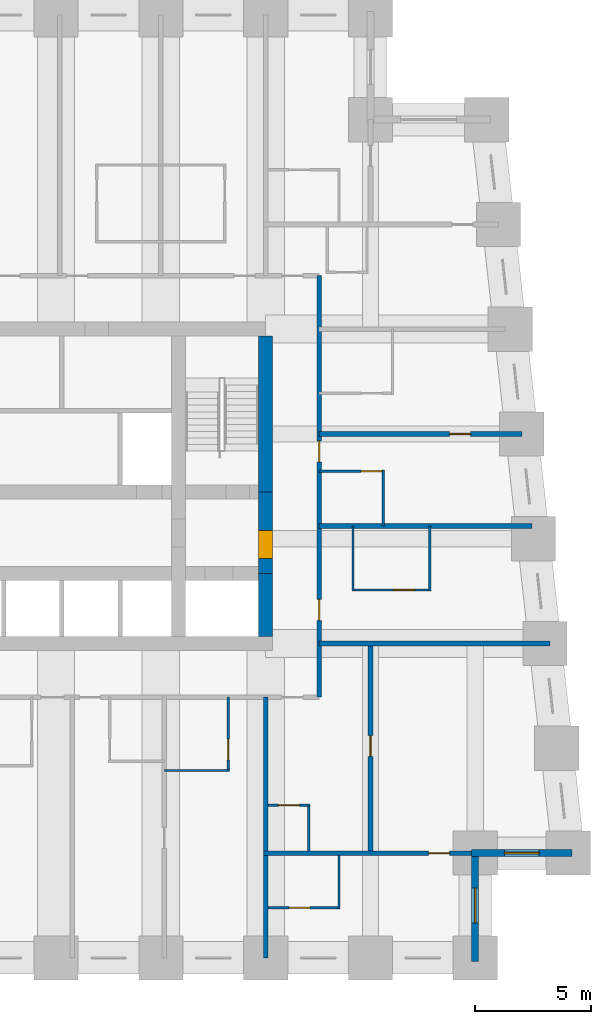
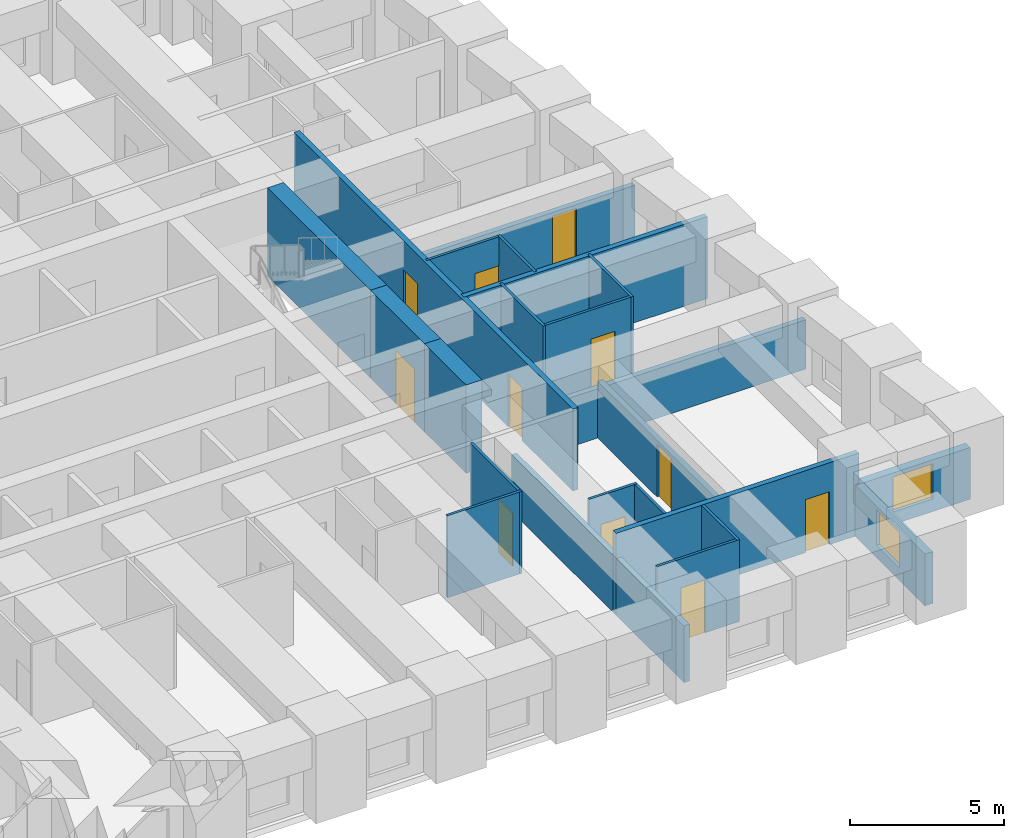
# One storey, part 5 of 8: 23 walls, 11 doors, 2 windows, 13 openings.
"""IFC4 building model written with IfcOpenShell, lengths in metres."""

from ifc_helpers import new_model, si_unit, direction, frame, frame_2d, origin, place, context, subcontext, project, spatial, rectangle, extrude, material, layer, layer_set, type_object, element, fill, save


model = new_model("IFC4")

# Units and contexts
model_context = context("Model", 3, precision=1e-05, world=origin(), true_north=direction((0.0, 1.0)))
body_context = subcontext(model_context, "Body", "Model", "MODEL_VIEW")
ifc_project = project(units=[si_unit("LENGTHUNIT", "METRE"), si_unit("AREAUNIT", "SQUARE_METRE"), si_unit("VOLUMEUNIT", "CUBIC_METRE"), si_unit("PLANEANGLEUNIT", "RADIAN"), si_unit("MASSUNIT", "GRAM", prefix="KILO")], contexts=[model_context])

# Site, building, storey
site_placement = place(None, origin())
site = spatial("IfcSite", under=ifc_project, at=site_placement, CompositionType="ELEMENT")
building_placement = place(site_placement, origin())
building = spatial("IfcBuilding", under=site, at=building_placement, Name="Kilele Tower Hotel", CompositionType="ELEMENT")
storey_placement = place(building_placement, frame((0.0, 0.0, 75.199951171875)))
storey = spatial("IfcBuildingStorey", under=building, at=storey_placement, Name="L18", CompositionType="ELEMENT", Elevation=75.199951171875)

# Wall
ifc_material_1 = material(Name="Moisture-resistant board")
ifc_layer_1 = layer(ifc_material_1, 0.10009765625)
ifc_layer_set_1 = layer_set([ifc_layer_1], Name="Moisture-resistant board")
wall_type_1 = type_object("IfcWallType", Name="Bathroom partition 100", PredefinedType="PLUMBINGWALL", material=ifc_layer_set_1)
wall_1_placement = place(storey_placement, frame((31.64990234375, 8.050048828125, 0.0), z_axis=(0.0, 0.0, 1.0), x_axis=(1.0, 0.0, 0.0)))
element("IfcWall", 1, at=wall_1_placement, inside=storey, type_object=wall_type_1, Name="Bathroom partition 100 L18", PredefinedType="PLUMBINGWALL", context=body_context, shape_type="SweptSolid", body=[
    extrude(rectangle(XDim=2.800048828125, YDim=0.10009765625, at=frame_2d((1.39990234375, 0.0))), origin(), (0.0, 0.0, 1.0), 3.25),
])

# Wall, opening, door
wall_2_placement = place(storey_placement, frame((34.39990234375, 11.199951171875, 0.0), z_axis=(0.0, 0.0, 1.0), x_axis=(0.0, -1.0, 0.0)))
wall_2 = element("IfcWall", 2, at=wall_2_placement, inside=storey, type_object=wall_type_1, Name="Bathroom partition 100 L18", PredefinedType="PLUMBINGWALL", context=body_context, shape_type="SweptSolid", body=[
    extrude(rectangle(XDim=3.199951171875, YDim=0.10009765625, at=frame_2d((1.60009765625, 0.0))), origin(), (0.0, 0.0, 1.0), 3.25),
])
opening_1_placement = place(wall_2_placement, frame((1.800048828125, 0.0, 0.0)))
opening_1 = element("IfcOpeningElement", 3, at=opening_1_placement, cuts=wall_2, Name="Opening D2A", PredefinedType="OPENING", context=body_context, shape_type="SweptSolid", body=[
    extrude(rectangle(XDim=0.89990234375, YDim=2.10009765625, at=frame_2d((0.449951171875, 1.050048828125))), frame((0.0, 0.06005859375, 0.0), z_axis=(0.0, -1.0, 0.0), x_axis=(1.0, 0.0, 0.0)), (0.0, 0.0, 1.0), 0.1201171875),
])
ifc_material_2 = material(Name="Timber door leaf in hardwood frame", Category="wood")
door_type_1 = type_object("IfcDoorType", Name="Bathroom door 900", OperationType="SINGLE_SWING_LEFT", PredefinedType="DOOR", material=ifc_material_2)
door_1_placement = place(opening_1_placement, origin())
door_1 = element("IfcDoor", 4, at=door_1_placement, inside=storey, type_object=door_type_1, Name="Bathroom door 1805B", OperationType="SINGLE_SWING_RIGHT", OverallHeight=2.10009765625, OverallWidth=0.89990234375, PredefinedType="DOOR", context=body_context, shape_type="SweptSolid", body=[
    extrude(rectangle(XDim=0.89990234375, YDim=2.10009765625, at=frame_2d((0.449951171875, 1.050048828125))), frame((0.0, 0.02490234375, 0.0), z_axis=(0.0, -1.0, 0.0), x_axis=(1.0, 0.0, 0.0)), (0.0, 0.0, 1.0), 0.050048828125),
])
fill(opening_1, door_1)

# Walls
for number, where, z_axis, x_axis, name in (
    (5, (39.75, 15.75, 0.0), (0.0, 0.0, 1.0), (0.0, 1.0, 0.0), "Bathroom partition 100 L18"),
    (6, (43.050048828125, 15.75, 0.0), (0.0, 0.0, 1.0), (0.0, 1.0, 0.0), "Bathroom partition 100 L18"),
):
    element("IfcWall", number, at=place(storey_placement, frame(where, z_axis=z_axis, x_axis=x_axis)), inside=storey, type_object=wall_type_1, Name=name, PredefinedType="PLUMBINGWALL", context=body_context, shape_type="SweptSolid", body=[
        extrude(rectangle(XDim=2.800048828125, YDim=0.10009765625, at=frame_2d((1.39990234375, 0.0))), origin(), (0.0, 0.0, 1.0), 3.25),
    ])

# Wall, opening, door
wall_3_placement = place(storey_placement, frame((39.699951171875, 15.800048828125, 0.0), z_axis=(0.0, 0.0, 1.0), x_axis=(1.0, 0.0, 0.0)))
wall_3 = element("IfcWall", 7, at=wall_3_placement, inside=storey, type_object=wall_type_1, Name="Bathroom partition 100 L18", PredefinedType="PLUMBINGWALL", context=body_context, shape_type="SweptSolid", body=[
    extrude(rectangle(XDim=3.400146484375, YDim=0.10009765625, at=frame_2d((1.7001953125, 0.0))), origin(), (0.0, 0.0, 1.0), 3.25),
])
opening_2_placement = place(wall_3_placement, frame((2.699951171875, 0.0, 0.0), z_axis=(0.0, 0.0, 1.0), x_axis=(-1.0, 0.0, 0.0)))
opening_2 = element("IfcOpeningElement", 8, at=opening_2_placement, cuts=wall_3, Name="Opening D2A", PredefinedType="OPENING", context=body_context, shape_type="SweptSolid", body=[
    extrude(rectangle(XDim=0.89990234375, YDim=2.10009765625, at=frame_2d((0.449951171875, 1.050048828125))), frame((0.0, 0.06005859375, 0.0), z_axis=(0.0, -1.0, 0.0), x_axis=(1.0, 0.0, 0.0)), (0.0, 0.0, 1.0), 0.1201171875),
])
door_2_placement = place(opening_2_placement, origin())
door_2 = element("IfcDoor", 9, at=door_2_placement, inside=storey, type_object=door_type_1, Name="Bathroom door 1806B", OperationType="SINGLE_SWING_LEFT", OverallHeight=2.10009765625, OverallWidth=0.89990234375, PredefinedType="DOOR", context=body_context, shape_type="SweptSolid", body=[
    extrude(rectangle(XDim=0.89990234375, YDim=2.10009765625, at=frame_2d((0.449951171875, 1.050048828125))), frame((0.0, 0.02490234375, 0.0), z_axis=(0.0, -1.0, 0.0), x_axis=(1.0, 0.0, 0.0)), (0.0, 0.0, 1.0), 0.050048828125),
])
fill(opening_2, door_2)

# Wall
wall_4_placement = place(storey_placement, frame((41.050048828125, 18.550048828125, 0.0), z_axis=(0.0, 0.0, 1.0), x_axis=(0.0, 1.0, 0.0)))
element("IfcWall", 10, at=wall_4_placement, inside=storey, type_object=wall_type_1, Name="Bathroom partition 100 L18", PredefinedType="PLUMBINGWALL", context=body_context, shape_type="SweptSolid", body=[
    extrude(rectangle(XDim=2.39990234375, YDim=0.10009765625, at=frame_2d((1.199951171875, 0.0))), origin(), (0.0, 0.0, 1.0), 3.25),
])

# Wall, opening, door
wall_5_placement = place(storey_placement, frame((38.300048828125, 20.89990234375, 0.0), z_axis=(0.0, 0.0, 1.0), x_axis=(1.0, 0.0, 0.0)))
wall_5 = element("IfcWall", 11, at=wall_5_placement, inside=storey, type_object=wall_type_1, Name="Bathroom partition 100 L18", PredefinedType="PLUMBINGWALL", context=body_context, shape_type="SweptSolid", body=[
    extrude(rectangle(XDim=2.800048828125, YDim=0.10009765625, at=frame_2d((1.39990234375, 0.0))), origin(), (0.0, 0.0, 1.0), 3.25),
])
opening_3_placement = place(wall_5_placement, frame((1.800048828125, 0.0, 0.0)))
opening_3 = element("IfcOpeningElement", 12, at=opening_3_placement, cuts=wall_5, Name="Opening D2A", PredefinedType="OPENING", context=body_context, shape_type="SweptSolid", body=[
    extrude(rectangle(XDim=0.89990234375, YDim=2.10009765625, at=frame_2d((0.449951171875, 1.050048828125))), frame((0.0, 0.06005859375, 0.0), z_axis=(0.0, -1.0, 0.0), x_axis=(1.0, 0.0, 0.0)), (0.0, 0.0, 1.0), 0.1201171875),
])
door_3_placement = place(opening_3_placement, origin())
door_3 = element("IfcDoor", 13, at=door_3_placement, inside=storey, type_object=door_type_1, Name="Bathroom door 1807B", OperationType="SINGLE_SWING_RIGHT", OverallHeight=2.10009765625, OverallWidth=0.89990234375, PredefinedType="DOOR", context=body_context, shape_type="SweptSolid", body=[
    extrude(rectangle(XDim=0.89990234375, YDim=2.10009765625, at=frame_2d((0.449951171875, 1.050048828125))), frame((0.0, 0.02490234375, 0.0), z_axis=(0.0, -1.0, 0.0), x_axis=(1.0, 0.0, 0.0)), (0.0, 0.0, 1.0), 0.050048828125),
])
fill(opening_3, door_3)

# Wall
wall_6_placement = place(storey_placement, frame((37.85009765625, 4.60009765625, 0.0), z_axis=(0.0, 0.0, 1.0), x_axis=(0.0, 1.0, 0.0)))
element("IfcWall", 14, at=wall_6_placement, inside=storey, type_object=wall_type_1, Name="Bathroom partition 100 L18", PredefinedType="PLUMBINGWALL", context=body_context, shape_type="SweptSolid", body=[
    extrude(rectangle(XDim=2.0, YDim=0.10009765625, at=frame_2d((1.0, 0.0))), origin(), (0.0, 0.0, 1.0), 3.25),
])

# Wall, opening, door
wall_7_placement = place(storey_placement, frame((36.10009765625, 6.550048828125, 0.0), z_axis=(0.0, 0.0, 1.0), x_axis=(1.0, 0.0, 0.0)))
wall_7 = element("IfcWall", 15, at=wall_7_placement, inside=storey, type_object=wall_type_1, Name="Bathroom partition 100 L18", PredefinedType="PLUMBINGWALL", context=body_context, shape_type="SweptSolid", body=[
    extrude(rectangle(XDim=1.7998046875, YDim=0.10009765625, at=frame_2d((0.89990234375, 0.0))), origin(), (0.0, 0.0, 1.0), 3.25),
])
opening_4_placement = place(wall_7_placement, frame((0.449951171875, 0.0, 0.0)))
opening_4 = element("IfcOpeningElement", 16, at=opening_4_placement, cuts=wall_7, Name="Opening D2A", PredefinedType="OPENING", context=body_context, shape_type="SweptSolid", body=[
    extrude(rectangle(XDim=0.89990234375, YDim=2.10009765625, at=frame_2d((0.449951171875, 1.050048828125))), frame((0.0, 0.06005859375, 0.0), z_axis=(0.0, -1.0, 0.0), x_axis=(1.0, 0.0, 0.0)), (0.0, 0.0, 1.0), 0.1201171875),
])
door_4_placement = place(opening_4_placement, origin())
door_4 = element("IfcDoor", 17, at=door_4_placement, inside=storey, type_object=door_type_1, Name="Bathroom door 1820P", OperationType="SINGLE_SWING_LEFT", OverallHeight=2.10009765625, OverallWidth=0.89990234375, PredefinedType="DOOR", context=body_context, shape_type="SweptSolid", body=[
    extrude(rectangle(XDim=0.89990234375, YDim=2.10009765625, at=frame_2d((0.449951171875, 1.050048828125))), frame((0.0, 0.02490234375, 0.0), z_axis=(0.0, -1.0, 0.0), x_axis=(1.0, 0.0, 0.0)), (0.0, 0.0, 1.0), 0.050048828125),
])
fill(opening_4, door_4)

# Wall
wall_8_placement = place(storey_placement, frame((39.14990234375, 4.39990234375, 0.0), z_axis=(0.0, 0.0, 1.0), x_axis=(0.0, -1.0, 0.0)))
element("IfcWall", 18, at=wall_8_placement, inside=storey, type_object=wall_type_1, Name="Bathroom partition 100 L18", PredefinedType="PLUMBINGWALL", context=body_context, shape_type="SweptSolid", body=[
    extrude(rectangle(XDim=2.2998046875, YDim=0.10009765625, at=frame_2d((1.14990234375, 0.0))), origin(), (0.0, 0.0, 1.0), 3.25),
])

# Wall, opening, door
wall_9_placement = place(storey_placement, frame((36.10009765625, 2.14990234375, 0.0), z_axis=(0.0, 0.0, 1.0), x_axis=(1.0, 0.0, 0.0)))
wall_9 = element("IfcWall", 19, at=wall_9_placement, inside=storey, type_object=wall_type_1, Name="Bathroom partition 100 L18", PredefinedType="PLUMBINGWALL", context=body_context, shape_type="SweptSolid", body=[
    extrude(rectangle(XDim=3.099853515625, YDim=0.10009765625, at=frame_2d((1.5498046875, 0.0))), origin(), (0.0, 0.0, 1.0), 3.25),
])
opening_5_placement = place(wall_9_placement, frame((1.7998046875, 0.0, 0.0), z_axis=(0.0, 0.0, 1.0), x_axis=(-1.0, 0.0, 0.0)))
opening_5 = element("IfcOpeningElement", 20, at=opening_5_placement, cuts=wall_9, Name="Opening D2A", PredefinedType="OPENING", context=body_context, shape_type="SweptSolid", body=[
    extrude(rectangle(XDim=0.89990234375, YDim=2.10009765625, at=frame_2d((0.449951171875, 1.050048828125))), frame((0.0, 0.06005859375, 0.0), z_axis=(0.0, -1.0, 0.0), x_axis=(1.0, 0.0, 0.0)), (0.0, 0.0, 1.0), 0.1201171875),
])
door_5_placement = place(opening_5_placement, origin())
door_5 = element("IfcDoor", 21, at=door_5_placement, inside=storey, type_object=door_type_1, Name="Bathroom door 1822B", OperationType="SINGLE_SWING_RIGHT", OverallHeight=2.10009765625, OverallWidth=0.89990234375, PredefinedType="DOOR", context=body_context, shape_type="SweptSolid", body=[
    extrude(rectangle(XDim=0.89990234375, YDim=2.10009765625, at=frame_2d((0.449951171875, 1.050048828125))), frame((0.0, 0.02490234375, 0.0), z_axis=(0.0, -1.0, 0.0), x_axis=(1.0, 0.0, 0.0)), (0.0, 0.0, 1.0), 0.050048828125),
])
fill(opening_5, door_5)

# Wall
ifc_material_3 = material(Name="Concrete C60/75", Category="concrete")
ifc_layer_2 = layer(ifc_material_3, 0.60009765625)
ifc_layer_set_2 = layer_set([ifc_layer_2], Name="Concrete C60/75")
wall_type_2 = type_object("IfcWallType", Name="Core wall 600 C60/75", PredefinedType="SHEAR", material=ifc_layer_set_2)
wall_10_placement = place(storey_placement, frame((36.0, 13.800048828125, 0.0), z_axis=(0.0, 0.0, 1.0), x_axis=(0.0, 1.0, 0.0)))
element("IfcWall", 22, at=wall_10_placement, inside=storey, type_object=wall_type_2, Name="Core wall E1 L18", PredefinedType="SHEAR", context=body_context, shape_type="SweptSolid", body=[
    extrude(rectangle(XDim=2.699951171875, YDim=0.60009765625, at=frame_2d((1.35009765625, 0.0))), origin(), (0.0, 0.0, 1.0), 3.5),
])

# Wall, opening, door
wall_11_placement = place(storey_placement, frame((36.0, 16.5, 0.0), z_axis=(0.0, 0.0, 1.0), x_axis=(0.0, 1.0, 0.0)))
wall_11 = element("IfcWall", 23, at=wall_11_placement, inside=storey, type_object=wall_type_2, Name="Core wall E2 L18", PredefinedType="SHEAR", context=body_context, shape_type="SweptSolid", body=[
    extrude(rectangle(XDim=3.5, YDim=0.60009765625, at=frame_2d((1.75, 0.0))), origin(), (0.0, 0.0, 1.0), 3.5),
])
opening_6_placement = place(wall_11_placement, frame((0.64990234375, 0.0, 0.0)))
opening_6 = element("IfcOpeningElement", 24, at=opening_6_placement, cuts=wall_11, Name="Opening D4", PredefinedType="OPENING", context=body_context, shape_type="SweptSolid", body=[
    extrude(rectangle(XDim=1.199951171875, YDim=2.10009765625, at=frame_2d((0.60009765625, 1.050048828125))), frame((0.0, 0.31005859375, 0.0), z_axis=(0.0, -1.0, 0.0), x_axis=(1.0, 0.0, 0.0)), (0.0, 0.0, 1.0), 0.6201171875),
])
ifc_material_4 = material(Name="Timber door leaf in hardwood frame", Category="wood")
door_type_2 = type_object("IfcDoorType", Name="Firefighting lobby door 1200", OperationType="SINGLE_SWING_LEFT", PredefinedType="DOOR", material=ifc_material_4)
door_6_placement = place(opening_6_placement, origin())
door_6 = element("IfcDoor", 25, at=door_6_placement, inside=storey, type_object=door_type_2, Name="Lobby door L18", OperationType="SINGLE_SWING_LEFT", OverallHeight=2.10009765625, OverallWidth=1.199951171875, PredefinedType="DOOR", context=body_context, shape_type="SweptSolid", body=[
    extrude(rectangle(XDim=1.199951171875, YDim=2.10009765625, at=frame_2d((0.60009765625, 1.050048828125))), frame((0.0, 0.2998046875, 0.0), z_axis=(0.0, -1.0, 0.0), x_axis=(1.0, 0.0, 0.0)), (0.0, 0.0, 1.0), 0.599609375),
])
fill(opening_6, door_6)

# Wall
wall_12_placement = place(storey_placement, frame((36.0, 20.0, 0.0), z_axis=(0.0, 0.0, 1.0), x_axis=(0.0, 1.0, 0.0)))
element("IfcWall", 26, at=wall_12_placement, inside=storey, type_object=wall_type_2, Name="Core wall E3 L18", PredefinedType="SHEAR", context=body_context, shape_type="SweptSolid", body=[
    extrude(rectangle(XDim=6.699951171875, YDim=0.60009765625, at=frame_2d((3.35009765625, 0.0))), origin(), (0.0, 0.0, 1.0), 3.5),
])

# Wall, openings, doors
ifc_material_5 = material(Name="Blockwork, plastered both sides", Category="masonry")
ifc_layer_3 = layer(ifc_material_5, 0.199951171875)
ifc_layer_set_3 = layer_set([ifc_layer_3], Name="Blockwork, plastered both sides")
wall_type_3 = type_object("IfcWallType", Name="Corridor wall 200", PredefinedType="PARTITIONING", material=ifc_layer_set_3)
wall_13_placement = place(storey_placement, frame((38.300048828125, 11.199951171875, 0.0), z_axis=(0.0, 0.0, 1.0), x_axis=(0.0, 1.0, 0.0)))
wall_13 = element("IfcWall", 27, at=wall_13_placement, inside=storey, type_object=wall_type_3, Name="Corridor wall 200 L18", PredefinedType="PARTITIONING", context=body_context, shape_type="SweptSolid", body=[
    extrude(rectangle(XDim=18.10009765625, YDim=0.199951171875, at=frame_2d((9.050048828125, 0.0))), origin(), (0.0, 0.0, 1.0), 3.25),
])
opening_7_placement = place(wall_13_placement, frame((4.199951171875, 0.0, 0.0), z_axis=(0.0, 0.0, 1.0), x_axis=(-1.0, 0.0, 0.0)))
opening_7 = element("IfcOpeningElement", 28, at=opening_7_placement, cuts=wall_13, Name="Opening D1", PredefinedType="OPENING", context=body_context, shape_type="SweptSolid", body=[
    extrude(rectangle(XDim=0.89990234375, YDim=2.10009765625, at=frame_2d((0.449951171875, 1.050048828125))), frame((0.0, 0.10986328125, 0.0), z_axis=(0.0, -1.0, 0.0), x_axis=(1.0, 0.0, 0.0)), (0.0, 0.0, 1.0), 0.219970703125),
])
opening_8_placement = place(wall_13_placement, frame((11.0, 0.0, 0.0), z_axis=(0.0, 0.0, 1.0), x_axis=(-1.0, 0.0, 0.0)))
opening_8 = element("IfcOpeningElement", 29, at=opening_8_placement, cuts=wall_13, Name="Opening D1", PredefinedType="OPENING", context=body_context, shape_type="SweptSolid", body=[
    extrude(rectangle(XDim=0.89990234375, YDim=2.10009765625, at=frame_2d((0.449951171875, 1.050048828125))), frame((0.0, 0.10986328125, 0.0), z_axis=(0.0, -1.0, 0.0), x_axis=(1.0, 0.0, 0.0)), (0.0, 0.0, 1.0), 0.219970703125),
])
ifc_material_6 = material(Name="Timber door leaf in hardwood frame", Category="wood")
door_type_3 = type_object("IfcDoorType", Name="Guest room entrance door 900", OperationType="SINGLE_SWING_LEFT", PredefinedType="DOOR", material=ifc_material_6)
door_7_placement = place(opening_7_placement, origin())
door_7 = element("IfcDoor", 30, at=door_7_placement, inside=storey, type_object=door_type_3, Name="Room entrance 1806", OperationType="SINGLE_SWING_RIGHT", OverallHeight=2.10009765625, OverallWidth=0.89990234375, PredefinedType="DOOR", context=body_context, shape_type="SweptSolid", body=[
    extrude(rectangle(XDim=0.89990234375, YDim=2.10009765625, at=frame_2d((0.449951171875, 1.050048828125))), frame((0.0, 0.02490234375, 0.0), z_axis=(0.0, -1.0, 0.0), x_axis=(1.0, 0.0, 0.0)), (0.0, 0.0, 1.0), 0.050048828125),
])
fill(opening_7, door_7)
door_8_placement = place(opening_8_placement, origin())
door_8 = element("IfcDoor", 31, at=door_8_placement, inside=storey, type_object=door_type_3, Name="Room entrance 1807", OperationType="SINGLE_SWING_LEFT", OverallHeight=2.10009765625, OverallWidth=0.89990234375, PredefinedType="DOOR", context=body_context, shape_type="SweptSolid", body=[
    extrude(rectangle(XDim=0.89990234375, YDim=2.10009765625, at=frame_2d((0.449951171875, 1.050048828125))), frame((0.0, 0.02490234375, 0.0), z_axis=(0.0, -1.0, 0.0), x_axis=(1.0, 0.0, 0.0)), (0.0, 0.0, 1.0), 0.050048828125),
])
fill(opening_8, door_8)

# Wall, opening, door
ifc_material_7 = material(Name="Blockwork, plastered both sides", Category="masonry")
ifc_layer_4 = layer(ifc_material_7, 0.199951171875)
ifc_layer_set_4 = layer_set([ifc_layer_4], Name="Blockwork, plastered both sides")
wall_type_4 = type_object("IfcWallType", Name="Partition wall 200", PredefinedType="PARTITIONING", material=ifc_layer_set_4)
wall_14_placement = place(storey_placement, frame((40.5, 4.60009765625, 0.0), z_axis=(0.0, 0.0, 1.0), x_axis=(0.0, 1.0, 0.0)))
wall_14 = element("IfcWall", 32, at=wall_14_placement, inside=storey, type_object=wall_type_4, Name="Partition wall 200 L18", PredefinedType="PARTITIONING", context=body_context, shape_type="SweptSolid", body=[
    extrude(rectangle(XDim=8.7998046875, YDim=0.199951171875, at=frame_2d((4.39990234375, 0.0))), origin(), (0.0, 0.0, 1.0), 2.25),
])
opening_9_placement = place(wall_14_placement, frame((4.050048828125, 0.0, 0.0)))
opening_9 = element("IfcOpeningElement", 33, at=opening_9_placement, cuts=wall_14, Name="Opening D3", PredefinedType="OPENING", context=body_context, shape_type="SweptSolid", body=[
    extrude(rectangle(XDim=0.89990234375, YDim=2.10009765625, at=frame_2d((0.449951171875, 1.050048828125))), frame((0.0, 0.10986328125, 0.0), z_axis=(0.0, -1.0, 0.0), x_axis=(1.0, 0.0, 0.0)), (0.0, 0.0, 1.0), 0.219970703125),
])
ifc_material_8 = material(Name="Timber door leaf in hardwood frame", Category="wood")
door_type_4 = type_object("IfcDoorType", Name="Suite internal door 900", OperationType="SINGLE_SWING_LEFT", PredefinedType="DOOR", material=ifc_material_8)
door_9_placement = place(opening_9_placement, origin())
door_9 = element("IfcDoor", 34, at=door_9_placement, inside=storey, type_object=door_type_4, Name="Suite door 1821", OperationType="SINGLE_SWING_RIGHT", OverallHeight=2.10009765625, OverallWidth=0.89990234375, PredefinedType="DOOR", context=body_context, shape_type="SweptSolid", body=[
    extrude(rectangle(XDim=0.89990234375, YDim=2.10009765625, at=frame_2d((0.449951171875, 1.050048828125))), frame((0.0, 0.02490234375, 0.0), z_axis=(0.0, -1.0, 0.0), x_axis=(1.0, 0.0, 0.0)), (0.0, 0.0, 1.0), 0.050048828125),
])
fill(opening_9, door_9)

# Wall
ifc_material_9 = material(Name="Blockwork, plastered both sides", Category="masonry")
ifc_layer_5 = layer(ifc_material_9, 0.199951171875)
ifc_layer_set_5 = layer_set([ifc_layer_5], Name="Blockwork, plastered both sides")
wall_type_5 = type_object("IfcWallType", Name="Party wall 200", PredefinedType="PARTITIONING", material=ifc_layer_set_5)
wall_15_placement = place(storey_placement, frame((38.300048828125, 18.550048828125, 0.0), z_axis=(0.0, 0.0, 1.0), x_axis=(1.0, 0.0, 0.0)))
element("IfcWall", 35, at=wall_15_placement, inside=storey, type_object=wall_type_5, Name="Party wall 200 L18", PredefinedType="PARTITIONING", context=body_context, shape_type="SweptSolid", body=[
    extrude(rectangle(XDim=9.137939453125, YDim=0.199951171875, at=frame_2d((4.56884765625, 0.0))), origin(), (0.0, 0.0, 1.0), 3.25),
])

# Wall, opening, door
wall_16_placement = place(storey_placement, frame((38.300048828125, 22.5, 0.0), z_axis=(0.0, 0.0, 1.0), x_axis=(1.0, 0.0, 0.0)))
wall_16 = element("IfcWall", 36, at=wall_16_placement, inside=storey, type_object=wall_type_5, Name="Party wall 200 L18", PredefinedType="PARTITIONING", context=body_context, shape_type="SweptSolid", body=[
    extrude(rectangle(XDim=8.698974609375, YDim=0.199951171875, at=frame_2d((4.349609375, 0.0))), origin(), (0.0, 0.0, 1.0), 2.25),
])
opening_10_placement = place(wall_16_placement, frame((5.60009765625, 0.0, 0.0)))
opening_10 = element("IfcOpeningElement", 37, at=opening_10_placement, cuts=wall_16, Name="Opening D3", PredefinedType="OPENING", context=body_context, shape_type="SweptSolid", body=[
    extrude(rectangle(XDim=0.89990234375, YDim=2.10009765625, at=frame_2d((0.449951171875, 1.050048828125))), frame((0.0, 0.10986328125, 0.0), z_axis=(0.0, -1.0, 0.0), x_axis=(1.0, 0.0, 0.0)), (0.0, 0.0, 1.0), 0.219970703125),
])
door_10_placement = place(opening_10_placement, origin())
door_10 = element("IfcDoor", 38, at=door_10_placement, inside=storey, type_object=door_type_4, Name="Suite door 1808", OperationType="SINGLE_SWING_RIGHT", OverallHeight=2.10009765625, OverallWidth=0.89990234375, PredefinedType="DOOR", context=body_context, shape_type="SweptSolid", body=[
    extrude(rectangle(XDim=0.89990234375, YDim=2.10009765625, at=frame_2d((0.449951171875, 1.050048828125))), frame((0.0, 0.02490234375, 0.0), z_axis=(0.0, -1.0, 0.0), x_axis=(1.0, 0.0, 0.0)), (0.0, 0.0, 1.0), 0.050048828125),
])
fill(opening_10, door_10)

# Walls
wall_17_placement = place(storey_placement, frame((38.300048828125, 13.5, 0.0), z_axis=(0.0, 0.0, 1.0), x_axis=(1.0, 0.0, 0.0)))
element("IfcWall", 39, at=wall_17_placement, inside=storey, type_object=wall_type_5, Name="Party wall 200 L18", PredefinedType="PARTITIONING", context=body_context, shape_type="SweptSolid", body=[
    extrude(rectangle(XDim=9.921142578125, YDim=0.199951171875, at=frame_2d((4.96044921875, 0.0))), origin(), (0.0, 0.0, 1.0), 1.949951171875),
])
wall_18_placement = place(storey_placement, frame((36.0, 11.199951171875, 0.0), z_axis=(0.0, 0.0, 1.0), x_axis=(0.0, -1.0, 0.0)))
element("IfcWall", 40, at=wall_18_placement, inside=storey, type_object=wall_type_5, Name="Party wall 200 L18", PredefinedType="PARTITIONING", context=body_context, shape_type="SweptSolid", body=[
    extrude(rectangle(XDim=11.199951171875, YDim=0.199951171875, at=frame_2d((5.60009765625, 0.0))), origin(), (0.0, 0.0, 1.0), 2.25),
])

# Wall, opening, door
wall_19_placement = place(storey_placement, frame((35.89990234375, 4.5, 0.0), z_axis=(0.0, 0.0, 1.0), x_axis=(1.0, 0.0, 0.0)))
wall_19 = element("IfcWall", 41, at=wall_19_placement, inside=storey, type_object=wall_type_5, Name="Party wall 200 L18", PredefinedType="PARTITIONING", context=body_context, shape_type="SweptSolid", body=[
    extrude(rectangle(XDim=9.10009765625, YDim=0.199951171875, at=frame_2d((4.550048828125, 0.0))), origin(), (0.0, 0.0, 1.0), 3.25),
])
opening_11_placement = place(wall_19_placement, frame((7.10009765625, 0.0, 0.0)))
opening_11 = element("IfcOpeningElement", 42, at=opening_11_placement, cuts=wall_19, Name="Opening D3", PredefinedType="OPENING", context=body_context, shape_type="SweptSolid", body=[
    extrude(rectangle(XDim=0.89990234375, YDim=2.10009765625, at=frame_2d((0.449951171875, 1.050048828125))), frame((0.0, 0.10986328125, 0.0), z_axis=(0.0, -1.0, 0.0), x_axis=(1.0, 0.0, 0.0)), (0.0, 0.0, 1.0), 0.219970703125),
])
door_11_placement = place(opening_11_placement, origin())
door_11 = element("IfcDoor", 43, at=door_11_placement, inside=storey, type_object=door_type_4, Name="Suite door 1822", OperationType="SINGLE_SWING_RIGHT", OverallHeight=2.10009765625, OverallWidth=0.89990234375, PredefinedType="DOOR", context=body_context, shape_type="SweptSolid", body=[
    extrude(rectangle(XDim=0.89990234375, YDim=2.10009765625, at=frame_2d((0.449951171875, 1.050048828125))), frame((0.0, 0.02490234375, 0.0), z_axis=(0.0, -1.0, 0.0), x_axis=(1.0, 0.0, 0.0)), (0.0, 0.0, 1.0), 0.050048828125),
])
fill(opening_11, door_11)

# Wall, opening, window
ifc_material_10 = material(Name="Concrete C40/50 precast", Category="concrete")
ifc_layer_6 = layer(ifc_material_10, 0.260009765625, Name="Precast backing", Category="LoadBearing")
ifc_material_11 = material(Name="Reconstituted stone finish", Category="masonry")
ifc_layer_7 = layer(ifc_material_11, 0.0400390625, Name="Face mix", Category="Finish")
ifc_layer_set_6 = layer_set([ifc_layer_6, ifc_layer_7], Name="Precast concrete C40/50, reconstituted stone finish")
wall_type_6 = type_object("IfcWallType", Name="Precast stone facade wall 300", PredefinedType="STANDARD", material=ifc_layer_set_6)
wall_20_placement = place(storey_placement, frame((45.0, -0.14990234375, 0.0), z_axis=(0.0, 0.0, 1.0), x_axis=(0.0, 1.0, 0.0)))
wall_20 = element("IfcWall", 44, at=wall_20_placement, inside=storey, type_object=wall_type_6, Name="Facade wall L18 edge 4", PredefinedType="STANDARD", context=body_context, shape_type="SweptSolid", body=[
    extrude(rectangle(XDim=4.7998046875, YDim=0.300048828125, at=frame_2d((2.39990234375, 0.0))), origin(), (0.0, 0.0, 1.0), 2.050048828125),
])
opening_12_placement = place(wall_20_placement, frame((1.64990234375, 0.0, 0.5)))
opening_12 = element("IfcOpeningElement", 45, at=opening_12_placement, cuts=wall_20, Name="Opening W1", PredefinedType="OPENING", context=body_context, shape_type="SweptSolid", body=[
    extrude(rectangle(XDim=1.5, YDim=1.39990234375, at=frame_2d((0.75, 0.699951171875))), frame((0.0, 0.159912109375, 0.0), z_axis=(0.0, -1.0, 0.0), x_axis=(1.0, 0.0, 0.0)), (0.0, 0.0, 1.0), 0.320068359375),
])
ifc_material_12 = material(Name="Aluminium frame, clear double glazing", Category="aluminium")
window_type = type_object("IfcWindowType", Name="Window W1 1500 x 1400", PartitioningType="SINGLE_PANEL", PredefinedType="WINDOW", material=ifc_material_12)
window_1_placement = place(opening_12_placement, origin())
window_1 = element("IfcWindow", 46, at=window_1_placement, inside=storey, type_object=window_type, Name="Window L18", OverallHeight=1.39990234375, OverallWidth=1.5, PartitioningType="SINGLE_PANEL", PredefinedType="WINDOW", context=body_context, shape_type="SweptSolid", body=[
    extrude(rectangle(XDim=1.5, YDim=1.39990234375, at=frame_2d((0.75, 0.699951171875))), frame((0.0, 0.030029296875, 0.0), z_axis=(0.0, -1.0, 0.0), x_axis=(1.0, 0.0, 0.0)), (0.0, 0.0, 1.0), 0.06005859375),
])
fill(opening_12, window_1)

wall_21_placement = place(storey_placement, frame((44.85009765625, 4.5, 0.0), z_axis=(0.0, 0.0, 1.0), x_axis=(1.0, 0.0, 0.0)))
wall_21 = element("IfcWall", 47, at=wall_21_placement, inside=storey, type_object=wall_type_6, Name="Facade wall L18 edge 5", PredefinedType="STANDARD", context=body_context, shape_type="SweptSolid", body=[
    extrude(rectangle(XDim=4.2998046875, YDim=0.300048828125, at=frame_2d((2.14990234375, 0.0))), origin(), (0.0, 0.0, 1.0), 2.050048828125),
])
opening_13_placement = place(wall_21_placement, frame((1.39990234375, 0.0, 0.5)))
opening_13 = element("IfcOpeningElement", 48, at=opening_13_placement, cuts=wall_21, Name="Opening W1", PredefinedType="OPENING", context=body_context, shape_type="SweptSolid", body=[
    extrude(rectangle(XDim=1.5, YDim=1.39990234375, at=frame_2d((0.75, 0.699951171875))), frame((0.0, 0.159912109375, 0.0), z_axis=(0.0, -1.0, 0.0), x_axis=(1.0, 0.0, 0.0)), (0.0, 0.0, 1.0), 0.320068359375),
])
window_2_placement = place(opening_13_placement, origin())
window_2 = element("IfcWindow", 49, at=window_2_placement, inside=storey, type_object=window_type, Name="Window L18", OverallHeight=1.39990234375, OverallWidth=1.5, PartitioningType="SINGLE_PANEL", PredefinedType="WINDOW", context=body_context, shape_type="SweptSolid", body=[
    extrude(rectangle(XDim=1.5, YDim=1.39990234375, at=frame_2d((0.75, 0.699951171875))), frame((0.0, 0.030029296875, 0.0), z_axis=(0.0, -1.0, 0.0), x_axis=(1.0, 0.0, 0.0)), (0.0, 0.0, 1.0), 0.06005859375),
])
fill(opening_13, window_2)

save(model, "model.ifc")
